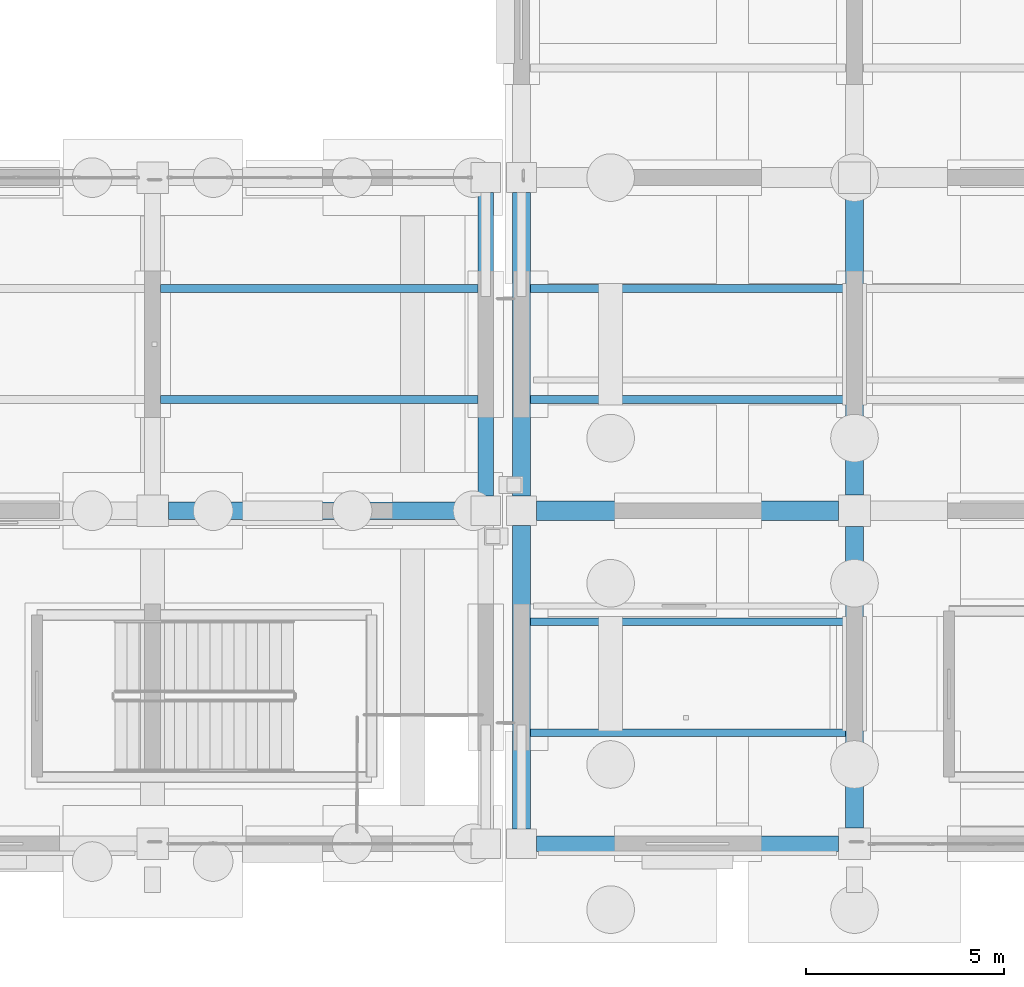
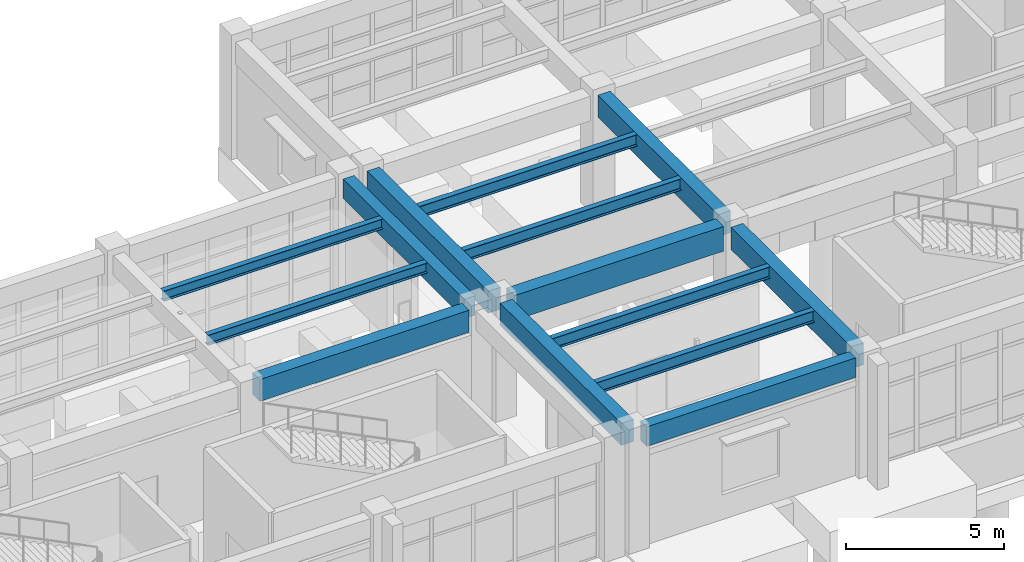
# One storey, part 33 of 111: 14 beams.
"""IFC4 building model written with IfcOpenShell, lengths in metres."""

from ifc_helpers import new_model, si_unit, direction, frame, origin, origin_2d, place, context, subcontext, project, spatial, rectangle, i_section, extrude, material, material_profile, profile_set, type_object, element, save


model = new_model("IFC4")

# Units and contexts
model_context = context("Model", 3, precision=1e-05, world=origin(), true_north=direction((0.0, 1.0)))
body_context = subcontext(model_context, "Body", "Model", "MODEL_VIEW")
ifc_project = project(units=[si_unit("LENGTHUNIT", "METRE"), si_unit("AREAUNIT", "SQUARE_METRE"), si_unit("VOLUMEUNIT", "CUBIC_METRE"), si_unit("PLANEANGLEUNIT", "RADIAN"), si_unit("MASSUNIT", "GRAM", prefix="KILO")], contexts=[model_context])

# Site, building, storey
site_placement = place(None, origin())
site = spatial("IfcSite", under=ifc_project, at=site_placement, CompositionType="ELEMENT")
building_placement = place(site_placement, origin())
building = spatial("IfcBuilding", under=site, at=building_placement, Name="Canglan Escarpment Cableway Terminal", CompositionType="ELEMENT")
storey_placement = place(building_placement, frame((0.0, 0.0, 4.800048828125)))
storey = spatial("IfcBuildingStorey", under=building, at=storey_placement, Name="L01", CompositionType="ELEMENT", Elevation=4.800048828125)

# Beams
ifc_material_1 = material(Name="Concrete C40", Category="concrete")
ifc_material_profile_1 = material_profile(ifc_material_1, rectangle(XDim=0.39990234375, YDim=0.75, at=origin_2d()), Name="RC 400x750")
ifc_profile_set_1 = profile_set([ifc_material_profile_1], Name="Concrete C40")
beam_type_1 = type_object("IfcBeamType", Name="BM-RC400x750", PredefinedType="BEAM", material=ifc_profile_set_1)
beam_1_placement = place(storey_placement, frame((110.60009765625, 16.77490234375, 4.175048828125), z_axis=(0.0, 1.0, 0.0), x_axis=(-1.0, 0.0, 0.0)))
element("IfcBeam", 1, at=beam_1_placement, inside=storey, type_object=beam_type_1, Name="Primary transverse girder B-03", PredefinedType="BEAM", context=body_context, shape_type="SweptSolid", body=[
    extrude(rectangle(XDim=0.39990234375, YDim=0.75, at=origin_2d()), origin(), (0.0, 0.0, 1.0), 7.650146484375),
])
ifc_material_profile_2 = material_profile(ifc_material_1, rectangle(XDim=0.449951171875, YDim=0.85009765625, at=origin_2d()), Name="RC 450x850")
ifc_profile_set_2 = profile_set([ifc_material_profile_2], Name="Concrete C40")
beam_type_2 = type_object("IfcBeamType", Name="BM-RC450x850", PredefinedType="BEAM", material=ifc_profile_set_2)
beam_2_placement = place(storey_placement, frame((102.60009765625, 16.39990234375, 4.125), z_axis=(1.0, 0.0, 0.0), x_axis=(0.0, 1.0, 0.0)))
element("IfcBeam", 2, at=beam_2_placement, inside=storey, type_object=beam_type_2, Name="Primary structural girder B-02", PredefinedType="BEAM", context=body_context, shape_type="SweptSolid", body=[
    extrude(rectangle(XDim=0.449951171875, YDim=0.85009765625, at=origin_2d()), origin(), (0.0, 0.0, 1.0), 7.625),
])
beam_3_placement = place(storey_placement, frame((111.5, 8.375, 4.125), z_axis=(0.0, 1.0, 0.0), x_axis=(-1.0, 0.0, 0.0)))
element("IfcBeam", 3, at=beam_3_placement, inside=storey, type_object=beam_type_2, Name="Primary transverse girder B-02", PredefinedType="BEAM", context=body_context, shape_type="SweptSolid", body=[
    extrude(rectangle(XDim=0.449951171875, YDim=0.85009765625, at=origin_2d()), origin(), (0.0, 0.0, 1.0), 7.64990234375),
])
beam_4_placement = place(storey_placement, frame((111.5, 16.77490234375, 4.125), z_axis=(0.0, 1.0, 0.0), x_axis=(-1.0, 0.0, 0.0)))
element("IfcBeam", 4, at=beam_4_placement, inside=storey, type_object=beam_type_2, Name="Primary transverse girder B-02", PredefinedType="BEAM", context=body_context, shape_type="SweptSolid", body=[
    extrude(rectangle(XDim=0.449951171875, YDim=0.85009765625, at=origin_2d()), origin(), (0.0, 0.0, 1.0), 7.650146484375),
])
beam_5_placement = place(storey_placement, frame((119.89990234375, 8.39990234375, 4.125), z_axis=(0.0, 1.0, 0.0), x_axis=(-1.0, 0.0, 0.0)))
element("IfcBeam", 5, at=beam_5_placement, inside=storey, type_object=beam_type_2, Name="Primary transverse girder B-02", PredefinedType="BEAM", context=body_context, shape_type="SweptSolid", body=[
    extrude(rectangle(XDim=0.449951171875, YDim=0.85009765625, at=origin_2d()), origin(), (0.0, 0.0, 1.0), 7.60009765625),
])
beam_6_placement = place(storey_placement, frame((119.89990234375, 16.800048828125, 4.125), z_axis=(0.0, 1.0, 0.0), x_axis=(-1.0, 0.0, 0.0)))
element("IfcBeam", 6, at=beam_6_placement, inside=storey, type_object=beam_type_2, Name="Primary transverse girder B-02", PredefinedType="BEAM", context=body_context, shape_type="SweptSolid", body=[
    extrude(rectangle(XDim=0.449951171875, YDim=0.85009765625, at=origin_2d()), origin(), (0.0, 0.0, 1.0), 7.599853515625),
])
ifc_material_2 = material(Name="Concrete C50", Category="concrete")
ifc_material_profile_3 = material_profile(ifc_material_2, rectangle(XDim=0.5, YDim=0.949951171875, at=origin_2d()), Name="RC 500x950")
ifc_profile_set_3 = profile_set([ifc_material_profile_3], Name="Concrete C50")
beam_type_3 = type_object("IfcBeamType", Name="BM-RC500x950", PredefinedType="BEAM", material=ifc_profile_set_3)
beam_7_placement = place(storey_placement, frame((111.875, 16.39990234375, 4.074951171875), z_axis=(1.0, 0.0, 0.0), x_axis=(0.0, 1.0, 0.0)))
element("IfcBeam", 7, at=beam_7_placement, inside=storey, type_object=beam_type_3, Name="Primary structural girder B-01", PredefinedType="BEAM", context=body_context, shape_type="SweptSolid", body=[
    extrude(rectangle(XDim=0.5, YDim=0.949951171875, at=origin_2d()), origin(), (0.0, 0.0, 1.0), 7.625),
])
ifc_material_3 = material(Name="Steel Q355B", Category="steel")
ifc_material_profile_4 = material_profile(ifc_material_3, i_section(OverallWidth=0.199951171875, OverallDepth=0.39990234375, WebThickness=0.008056640625, FlangeThickness=0.012939453125, FilletRadius=0.01611328125, at=origin_2d()), Name="HN 400x200x8x13")
ifc_profile_set_4 = profile_set([ifc_material_profile_4], Name="Steel Q355B")
beam_type_4 = type_object("IfcBeamType", Name="JS-HN400", PredefinedType="JOIST", material=ifc_profile_set_4)
for number, where, z_axis, x_axis, name in (
    (8, (102.39990234375, 19.199951171875, 4.349853515625), (1.0, 0.0, 0.0), (0.0, 1.0, 0.0), "Secondary composite deck joist J-03"),
    (9, (102.39990234375, 22.0, 4.349853515625), (1.0, 0.0, 0.0), (0.0, 1.0, 0.0), "Secondary composite deck joist J-03"),
):
    element("IfcBeam", number, at=place(storey_placement, frame(where, z_axis=z_axis, x_axis=x_axis)), inside=storey, type_object=beam_type_4, Name=name, PredefinedType="JOIST", context=body_context, shape_type="SweptSolid", body=[
        extrude(i_section(OverallWidth=0.199951171875, OverallDepth=0.39990234375, WebThickness=0.008056640625, FlangeThickness=0.012939453125, FilletRadius=0.01611328125, at=origin_2d()), origin(), (0.0, 0.0, 1.0), 8.0),
    ])
ifc_material_profile_5 = material_profile(ifc_material_3, i_section(OverallWidth=0.199951171875, OverallDepth=0.449951171875, WebThickness=0.009033203125, FlangeThickness=0.013916015625, FilletRadius=0.01806640625, at=origin_2d()), Name="HN 450x200x9x14")
ifc_profile_set_5 = profile_set([ifc_material_profile_5], Name="Steel Q355B")
beam_type_5 = type_object("IfcBeamType", Name="JS-HN450", PredefinedType="JOIST", material=ifc_profile_set_5)
for number, where, z_axis, x_axis, name in (
    (10, (111.72509765625, 10.800048828125, 4.324951171875), (1.0, 0.0, 0.0), (0.0, 1.0, 0.0), "Secondary composite deck joist J-02"),
    (11, (111.72509765625, 13.60009765625, 4.324951171875), (1.0, 0.0, 0.0), (0.0, 1.0, 0.0), "Secondary composite deck joist J-02"),
    (12, (111.72509765625, 19.199951171875, 4.324951171875), (1.0, 0.0, 0.0), (0.0, 1.0, 0.0), "Secondary composite deck joist J-02"),
    (13, (111.72509765625, 22.0, 4.324951171875), (1.0, 0.0, 0.0), (0.0, 1.0, 0.0), "Secondary composite deck joist J-02"),
):
    element("IfcBeam", number, at=place(storey_placement, frame(where, z_axis=z_axis, x_axis=x_axis)), inside=storey, type_object=beam_type_5, Name=name, PredefinedType="JOIST", context=body_context, shape_type="SweptSolid", body=[
        extrude(i_section(OverallWidth=0.199951171875, OverallDepth=0.449951171875, WebThickness=0.009033203125, FlangeThickness=0.013916015625, FilletRadius=0.01806640625, at=origin_2d()), origin(), (0.0, 0.0, 1.0), 7.949951171875),
    ])
ifc_material_profile_6 = material_profile(ifc_material_1, rectangle(XDim=0.39990234375, YDim=0.75, at=origin_2d()), Name="RC 400x750")
ifc_profile_set_6 = profile_set([ifc_material_profile_6], Name="Concrete C40")
beam_type_6 = type_object("IfcBeamType", Name="SP-RC400x750", PredefinedType="SPANDREL", material=ifc_profile_set_6)
beam_8_placement = place(storey_placement, frame((111.875, 8.0, 4.175048828125), z_axis=(1.0, 0.0, 0.0), x_axis=(0.0, 1.0, 0.0)))
element("IfcBeam", 14, at=beam_8_placement, inside=storey, type_object=beam_type_6, Name="Primary structural girder SP-01", PredefinedType="SPANDREL", context=body_context, shape_type="SweptSolid", body=[
    extrude(rectangle(XDim=0.39990234375, YDim=0.75, at=origin_2d()), origin(), (0.0, 0.0, 1.0), 7.625),
])

save(model, "model.ifc")
